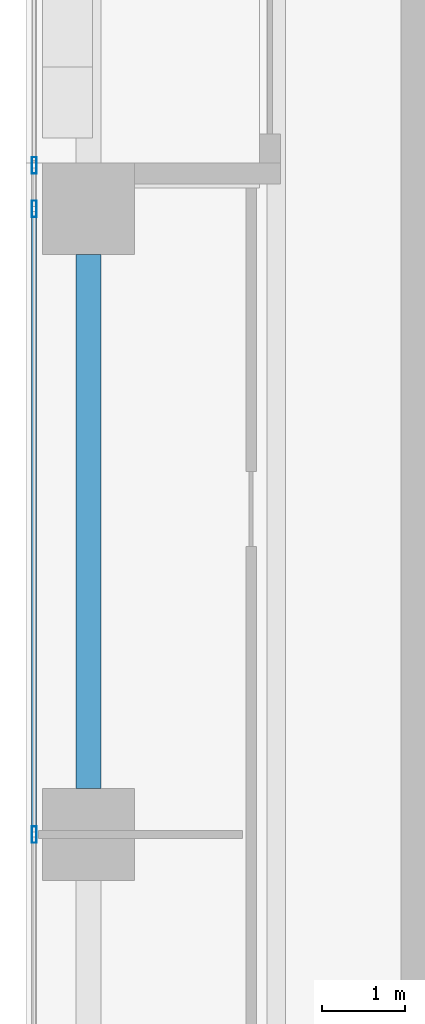
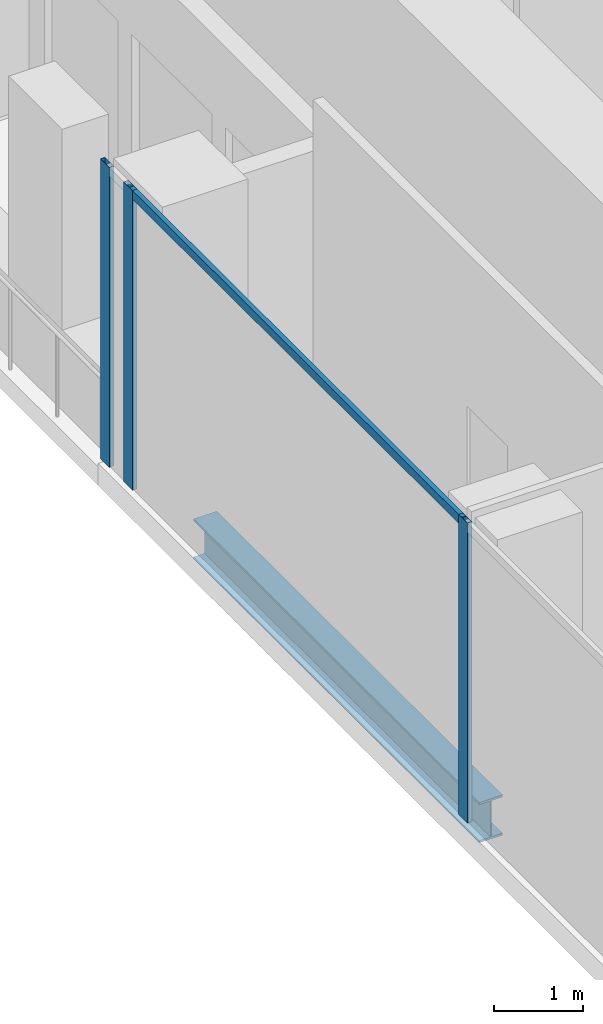
# One storey, part 7 of 35: 4 members, 1 beam, 1 element without a shape of its own.
"""IFC4 building model written with IfcOpenShell, lengths in metres."""

from ifc_helpers import new_model, si_unit, direction, frame, origin, origin_2d, place, context, subcontext, project, spatial, hollow_rectangle, i_section, extrude, source, transform, mapped, material, material_profile, profile_set, type_object, element, aggregate, save


model = new_model("IFC4")

# Units and contexts
model_context = context("Model", 3, precision=1e-05, world=origin(), true_north=direction((0.0, 1.0)))
body_context = subcontext(model_context, "Body", "Model", "MODEL_VIEW")
ifc_project = project(units=[si_unit("LENGTHUNIT", "METRE"), si_unit("AREAUNIT", "SQUARE_METRE"), si_unit("VOLUMEUNIT", "CUBIC_METRE"), si_unit("PLANEANGLEUNIT", "RADIAN"), si_unit("MASSUNIT", "GRAM", prefix="KILO")], contexts=[model_context])

# Site, building, storey
site_placement = place(None, origin())
site = spatial("IfcSite", under=ifc_project, at=site_placement, CompositionType="ELEMENT")
building_placement = place(site_placement, origin())
building = spatial("IfcBuilding", under=site, at=building_placement, Name="Khomas Fold Tower", CompositionType="ELEMENT")
storey_placement = place(building_placement, frame((0.0, 0.0, 132.300048828125)))
storey = spatial("IfcBuildingStorey", under=building, at=storey_placement, Name="L28", CompositionType="ELEMENT", Elevation=132.300048828125)

# Beam
ifc_material_1 = material(Name="Steel S355", Category="steel")
ifc_material_profile_1 = material_profile(ifc_material_1, i_section(OverallWidth=0.300048828125, OverallDepth=0.550048828125, WebThickness=0.014892578125, FlangeThickness=0.029052734375, at=origin_2d()), Name="HE 550 B")
ifc_profile_set_1 = profile_set([ifc_material_profile_1], Name="Steel S355")
beam_type = type_object("IfcBeamType", Name="HE 550 B spandrel SB2", PredefinedType="SPANDREL", material=ifc_profile_set_1)
shared_shape_1 = source(origin(), body_context, "Body", "SweptSolid", [
    extrude(i_section(OverallWidth=0.300048828125, OverallDepth=0.550048828125, WebThickness=0.014892578125, FlangeThickness=0.029052734375, at=origin_2d()), origin(), (0.0, 0.0, 1.0), 6.39990234375),
])
beam_placement = place(storey_placement, frame((2.25, 20.050048828125, -0.574951171875), z_axis=(0.0, 1.0, 0.0), x_axis=(-1.0, 0.0, 0.0)))
element("IfcBeam", 1, at=beam_placement, inside=storey, type_object=beam_type, Name="SB2", PredefinedType="SPANDREL", context=body_context, shape_type="MappedRepresentation", body=[
    mapped(shared_shape_1, transform((0.0, 0.0, 0.0))),
])

# Curtain wall, members
ifc_material_2 = material(Name="Aluminium framed double glazing", Category="aluminium")
curtain_wall_type = type_object("IfcCurtainWallType", Name="SK-Unitised clear-glass wall, growing floors CW1", PredefinedType="NOTDEFINED", material=ifc_material_2)
curtain_wall_placement = place(storey_placement, origin())
curtain_wall = element("IfcCurtainWall", 2, at=curtain_wall_placement, inside=storey, type_object=curtain_wall_type, Name="CW1 run L28 09-1", PredefinedType="NOTDEFINED")
ifc_material_3 = material(Name="Aluminium", Category="aluminium")
ifc_material_profile_2 = material_profile(ifc_material_3, hollow_rectangle(XDim=0.06005859375, YDim=0.1201171875, WallThickness=0.00390625, at=origin_2d()), Name="SK-Unitised clear-glass wall, growing floors transom CW1-T")
ifc_profile_set_2 = profile_set([ifc_material_profile_2], Name="Aluminium")
member_type_1 = type_object("IfcMemberType", Name="SK-Unitised clear-glass wall, growing floors transom CW1-T", PredefinedType="USERDEFINED", material=ifc_profile_set_2)
shared_shape_2 = source(origin(), body_context, "Body", "SweptSolid", [
    extrude(hollow_rectangle(XDim=0.06005859375, YDim=0.1201171875, WallThickness=0.00390625, at=origin_2d()), origin(), (0.0, 0.0, 1.0), 7.43994140625),
])
member_1_placement = place(storey_placement, frame((1.60009765625, 26.969970703125, 4.0400390625), z_axis=(0.0, -1.0, 0.0), x_axis=(1.0, 0.0, 0.0)))
member_1 = element("IfcMember", 3, at=member_1_placement, type_object=member_type_1, Name="CW1 transom 2", ObjectType="TRANSOM", PredefinedType="USERDEFINED", context=body_context, shape_type="MappedRepresentation", body=[
    mapped(shared_shape_2, transform((0.0, 0.0, 0.0))),
])
ifc_material_4 = material(Name="Aluminium", Category="aluminium")
ifc_material_profile_3 = material_profile(ifc_material_4, hollow_rectangle(XDim=0.06005859375, YDim=0.199951171875, WallThickness=0.00390625, at=origin_2d()), Name="SK-Unitised clear-glass wall, growing floors mullion CW1-M")
ifc_profile_set_3 = profile_set([ifc_material_profile_3], Name="Aluminium")
member_type_2 = type_object("IfcMemberType", Name="SK-Unitised clear-glass wall, growing floors mullion CW1-M", PredefinedType="MULLION", material=ifc_profile_set_3)
shared_shape_3 = source(origin(), body_context, "Body", "SweptSolid", [
    extrude(hollow_rectangle(XDim=0.06005859375, YDim=0.199951171875, WallThickness=0.00390625, at=origin_2d()), origin(), (0.0, 0.0, 1.0), 4.099853515625),
])
member_2_placement = place(storey_placement, frame((1.60009765625, 27.52001953125, 0.0), z_axis=(0.0, 0.0, 1.0), x_axis=(1.0, 0.0, 0.0)))
member_2 = element("IfcMember", 4, at=member_2_placement, type_object=member_type_2, Name="CW1 mullion 1", PredefinedType="MULLION", context=body_context, shape_type="MappedRepresentation", body=[
    mapped(shared_shape_3, transform((0.0, 0.0, 0.0))),
])
member_3_placement = place(storey_placement, frame((1.60009765625, 27.0, 0.0), z_axis=(0.0, 0.0, 1.0), x_axis=(1.0, 0.0, 0.0)))
member_3 = element("IfcMember", 5, at=member_3_placement, type_object=member_type_2, Name="CW1 mullion 2", PredefinedType="MULLION", context=body_context, shape_type="MappedRepresentation", body=[
    mapped(shared_shape_3, transform((0.0, 0.0, 0.0))),
])
member_4_placement = place(storey_placement, frame((1.60009765625, 19.5, 0.0), z_axis=(0.0, 0.0, 1.0), x_axis=(1.0, 0.0, 0.0)))
member_4 = element("IfcMember", 6, at=member_4_placement, type_object=member_type_2, Name="CW1 mullion 3", PredefinedType="MULLION", context=body_context, shape_type="MappedRepresentation", body=[
    mapped(shared_shape_3, transform((0.0, 0.0, 0.0))),
])
aggregate(curtain_wall, [member_2, member_3, member_4, member_1])

save(model, "model.ifc")
